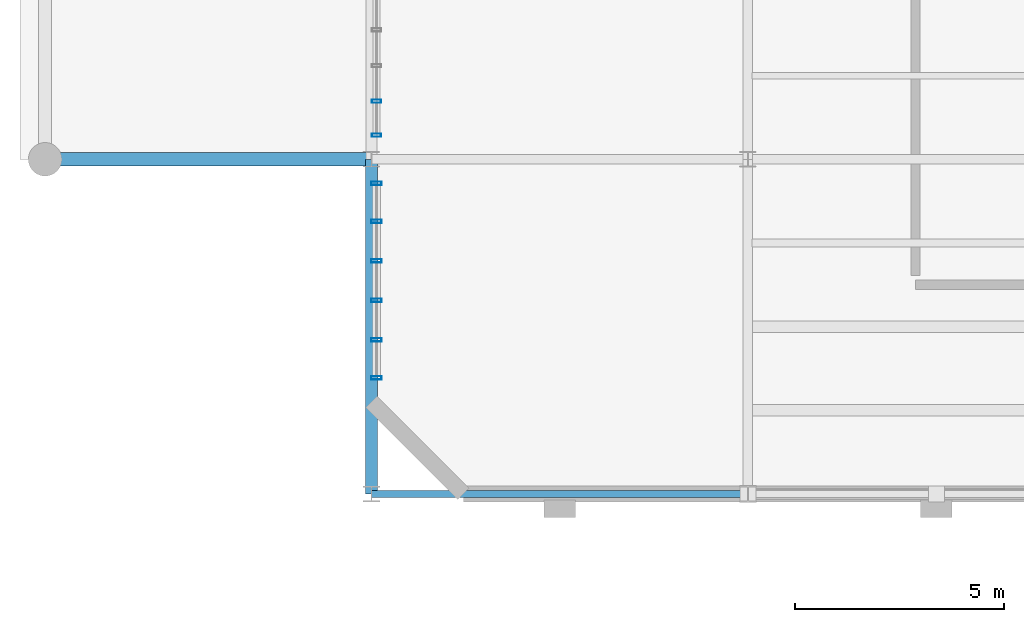
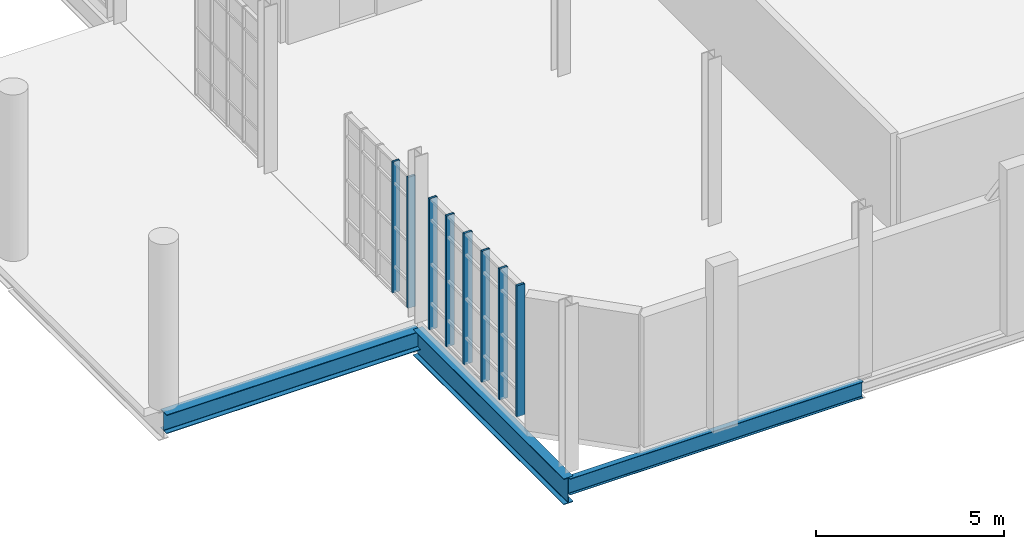
# One storey, part 14 of 189: 8 members, 3 beams, 2 elements without a shape of their own.
"""IFC4 building model written with IfcOpenShell, lengths in metres."""

from ifc_helpers import new_model, si_unit, direction, frame, origin, origin_2d, place, context, subcontext, project, spatial, hollow_rectangle, i_section, extrude, material, layer, layer_set, material_profile, profile_set, type_object, element, aggregate, save


model = new_model("IFC4")

# Units and contexts
model_context = context("Model", 3, precision=1e-05, world=origin(), true_north=direction((0.0, 1.0)))
body_context = subcontext(model_context, "Body", "Model", "MODEL_VIEW")
ifc_project = project(units=[si_unit("LENGTHUNIT", "METRE"), si_unit("AREAUNIT", "SQUARE_METRE"), si_unit("VOLUMEUNIT", "CUBIC_METRE"), si_unit("PLANEANGLEUNIT", "RADIAN"), si_unit("MASSUNIT", "GRAM", prefix="KILO"), si_unit("THERMODYNAMICTEMPERATUREUNIT", "KELVIN"), si_unit("POWERUNIT", "WATT")], contexts=[model_context])

# Site, building, storey
site_placement = place(None, origin())
site = spatial("IfcSite", under=ifc_project, at=site_placement, CompositionType="ELEMENT")
building_placement = place(site_placement, origin())
building = spatial("IfcBuilding", under=site, at=building_placement, Name="Zelmaris Science Centre", CompositionType="ELEMENT")
storey_placement = place(building_placement, origin())
storey = spatial("IfcBuildingStorey", under=building, at=storey_placement, Name="L00", CompositionType="ELEMENT", Elevation=0.0)

# Curtain wall, members
ifc_material_1 = material(Name="Anodised architectural aluminium 6063-T6", Category="aluminium")
ifc_layer_1 = layer(ifc_material_1, 0.199951171875, Name="Anodised architectural aluminium 6063-T6")
ifc_layer_set_1 = layer_set([ifc_layer_1], Name="Anodised architectural aluminium 6063-T6")
curtain_wall_type_1 = type_object("IfcCurtainWallType", Name="Curtain Wall CW-02", PredefinedType="USERDEFINED", material=ifc_layer_set_1)
curtain_wall_1_placement = place(storey_placement, origin())
curtain_wall_1 = element("IfcCurtainWall", 1, at=curtain_wall_1_placement, inside=storey, type_object=curtain_wall_type_1, Name="L00 Unitised curtain wall 2", ObjectType="GLAZED CURTAIN WALL", PredefinedType="USERDEFINED")
ifc_material_profile_1 = material_profile(ifc_material_1, hollow_rectangle(XDim=0.074951171875, YDim=0.219970703125, WallThickness=0.0048828125, at=origin_2d()), Name="ALU-MUL-75X220")
ifc_profile_set_1 = profile_set([ifc_material_profile_1], Name="Anodised architectural aluminium 6063-T6")
member_type_1 = type_object("IfcMemberType", Name="ALU-MUL-75X220", PredefinedType="MULLION", material=ifc_profile_set_1)
member_1_placement = place(storey_placement, frame((9.1201171875, 16.573486328125, -0.014892578125), z_axis=(0.0, 0.0, 1.0), x_axis=(0.0, 1.0, 0.0)))
member_1 = element("IfcMember", 2, at=member_1_placement, type_object=member_type_1, Name="CW-02 mullion 1", PredefinedType="MULLION", context=body_context, shape_type="SweptSolid", body=[
    extrude(hollow_rectangle(XDim=0.074951171875, YDim=0.219970703125, WallThickness=0.0048828125, at=origin_2d()), origin(), (0.0, 0.0, 1.0), 4.248779296875),
])
member_2_placement = place(storey_placement, frame((9.1201171875, 17.389892578125, -0.014892578125), z_axis=(0.0, 0.0, 1.0), x_axis=(0.0, 1.0, 0.0)))
member_2 = element("IfcMember", 3, at=member_2_placement, type_object=member_type_1, Name="CW-02 mullion 2", PredefinedType="MULLION", context=body_context, shape_type="SweptSolid", body=[
    extrude(hollow_rectangle(XDim=0.074951171875, YDim=0.219970703125, WallThickness=0.0048828125, at=origin_2d()), origin(), (0.0, 0.0, 1.0), 4.248779296875),
])
aggregate(curtain_wall_1, [member_1, member_2])

ifc_layer_2 = layer(ifc_material_1, 0.18994140625, Name="Anodised architectural aluminium 6063-T6")
ifc_layer_set_2 = layer_set([ifc_layer_2], Name="Anodised architectural aluminium 6063-T6")
curtain_wall_type_2 = type_object("IfcCurtainWallType", Name="Curtain Wall CW-01", PredefinedType="USERDEFINED", material=ifc_layer_set_2)
curtain_wall_2_placement = place(storey_placement, origin())
curtain_wall_2 = element("IfcCurtainWall", 4, at=curtain_wall_2_placement, inside=storey, type_object=curtain_wall_type_2, Name="L00 Unitised curtain wall 1", ObjectType="GLAZED CURTAIN WALL", PredefinedType="USERDEFINED")
ifc_material_profile_2 = material_profile(ifc_material_1, hollow_rectangle(XDim=0.080078125, YDim=0.25, WallThickness=0.0048828125, at=origin_2d()), Name="ALU-MUL-80X250")
ifc_profile_set_2 = profile_set([ifc_material_profile_2], Name="Anodised architectural aluminium 6063-T6")
member_type_2 = type_object("IfcMemberType", Name="ALU-MUL-80X250", PredefinedType="MULLION", material=ifc_profile_set_2)
member_3_placement = place(storey_placement, frame((9.1201171875, 10.77587890625, -0.014892578125), z_axis=(0.0, 0.0, 1.0), x_axis=(0.0, 1.0, 0.0)))
member_3 = element("IfcMember", 5, at=member_3_placement, type_object=member_type_2, Name="CW-01 mullion 1", PredefinedType="MULLION", context=body_context, shape_type="SweptSolid", body=[
    extrude(hollow_rectangle(XDim=0.080078125, YDim=0.25, WallThickness=0.0048828125, at=origin_2d()), origin(), (0.0, 0.0, 1.0), 4.248779296875),
])
member_4_placement = place(storey_placement, frame((9.1201171875, 11.68408203125, -0.014892578125), z_axis=(0.0, 0.0, 1.0), x_axis=(0.0, 1.0, 0.0)))
member_4 = element("IfcMember", 6, at=member_4_placement, type_object=member_type_2, Name="CW-01 mullion 2", PredefinedType="MULLION", context=body_context, shape_type="SweptSolid", body=[
    extrude(hollow_rectangle(XDim=0.080078125, YDim=0.25, WallThickness=0.0048828125, at=origin_2d()), origin(), (0.0, 0.0, 1.0), 4.248779296875),
])
member_5_placement = place(storey_placement, frame((9.1201171875, 12.6279296875, -0.014892578125), z_axis=(0.0, 0.0, 1.0), x_axis=(0.0, 1.0, 0.0)))
member_5 = element("IfcMember", 7, at=member_5_placement, type_object=member_type_2, Name="CW-01 mullion 3", PredefinedType="MULLION", context=body_context, shape_type="SweptSolid", body=[
    extrude(hollow_rectangle(XDim=0.080078125, YDim=0.25, WallThickness=0.0048828125, at=origin_2d()), origin(), (0.0, 0.0, 1.0), 4.248779296875),
])
member_6_placement = place(storey_placement, frame((9.1201171875, 13.572021484375, -0.014892578125), z_axis=(0.0, 0.0, 1.0), x_axis=(0.0, 1.0, 0.0)))
member_6 = element("IfcMember", 8, at=member_6_placement, type_object=member_type_2, Name="CW-01 mullion 4", PredefinedType="MULLION", context=body_context, shape_type="SweptSolid", body=[
    extrude(hollow_rectangle(XDim=0.080078125, YDim=0.25, WallThickness=0.0048828125, at=origin_2d()), origin(), (0.0, 0.0, 1.0), 4.248779296875),
])
member_7_placement = place(storey_placement, frame((9.1201171875, 14.51611328125, -0.014892578125), z_axis=(0.0, 0.0, 1.0), x_axis=(0.0, 1.0, 0.0)))
member_7 = element("IfcMember", 9, at=member_7_placement, type_object=member_type_2, Name="CW-01 mullion 5", PredefinedType="MULLION", context=body_context, shape_type="SweptSolid", body=[
    extrude(hollow_rectangle(XDim=0.080078125, YDim=0.25, WallThickness=0.0048828125, at=origin_2d()), origin(), (0.0, 0.0, 1.0), 4.248779296875),
])
member_8_placement = place(storey_placement, frame((9.1201171875, 15.424072265625, -0.014892578125), z_axis=(0.0, 0.0, 1.0), x_axis=(0.0, 1.0, 0.0)))
member_8 = element("IfcMember", 10, at=member_8_placement, type_object=member_type_2, Name="CW-01 mullion 6", PredefinedType="MULLION", context=body_context, shape_type="SweptSolid", body=[
    extrude(hollow_rectangle(XDim=0.080078125, YDim=0.25, WallThickness=0.0048828125, at=origin_2d()), origin(), (0.0, 0.0, 1.0), 4.248779296875),
])
aggregate(curtain_wall_2, [member_3, member_4, member_5, member_6, member_7, member_8])

# Beams
ifc_material_2 = material(Name="Steel ASTM A992 Grade 50", Category="steel")
ifc_material_profile_3 = material_profile(ifc_material_2, i_section(OverallWidth=0.2919921875, OverallDepth=0.841064453125, WebThickness=0.0146484375, FlangeThickness=0.021728515625, FilletRadius=0.02001953125, at=origin_2d()), Name="W33X130")
ifc_profile_set_3 = profile_set([ifc_material_profile_3], Name="Steel ASTM A992 Grade 50")
beam_type_1 = type_object("IfcBeamType", Name="Beam G-07 W33X130", PredefinedType="BEAM", material=ifc_profile_set_3)
beam_1_placement = place(storey_placement, frame((9.0, 8.0, -0.73046875), z_axis=(0.0, 1.0, 0.0), x_axis=(-1.0, 0.0, 0.0)))
element("IfcBeam", 11, at=beam_1_placement, inside=storey, type_object=beam_type_1, Name="L00 North-south girder 3", PredefinedType="BEAM", context=body_context, shape_type="SweptSolid", body=[
    extrude(i_section(OverallWidth=0.2919921875, OverallDepth=0.841064453125, WebThickness=0.0146484375, FlangeThickness=0.021728515625, FilletRadius=0.02001953125, at=origin_2d()), origin(), (0.0, 0.0, 1.0), 8.0),
])
ifc_material_profile_4 = material_profile(ifc_material_2, i_section(OverallWidth=0.324951171875, OverallDepth=0.612060546875, WebThickness=0.0126953125, FlangeThickness=0.01904296875, FilletRadius=0.014892578125, at=origin_2d()), Name="W24X104")
ifc_profile_set_4 = profile_set([ifc_material_profile_4], Name="Steel ASTM A992 Grade 50")
beam_type_2 = type_object("IfcBeamType", Name="Beam G-15 W24X104", PredefinedType="BEAM", material=ifc_profile_set_4)
beam_2_placement = place(storey_placement, frame((1.199951171875, 16.0, -0.615966796875), z_axis=(1.0, 0.0, 0.0), x_axis=(0.0, 1.0, 0.0)))
element("IfcBeam", 12, at=beam_2_placement, inside=storey, type_object=beam_type_2, Name="L00 East-west girder 101", PredefinedType="BEAM", context=body_context, shape_type="SweptSolid", body=[
    extrude(i_section(OverallWidth=0.324951171875, OverallDepth=0.612060546875, WebThickness=0.0126953125, FlangeThickness=0.01904296875, FilletRadius=0.014892578125, at=origin_2d()), origin(), (0.0, 0.0, 1.0), 7.800048828125),
])
ifc_material_profile_5 = material_profile(ifc_material_2, i_section(OverallWidth=0.1650390625, OverallDepth=0.52587890625, WebThickness=0.0087890625, FlangeThickness=0.011474609375, FilletRadius=0.013916015625, at=origin_2d()), Name="W21X44")
ifc_profile_set_5 = profile_set([ifc_material_profile_5], Name="Steel ASTM A992 Grade 50")
beam_type_3 = type_object("IfcBeamType", Name="Beam G-40 W21X44", PredefinedType="BEAM", material=ifc_profile_set_5)
beam_3_placement = place(storey_placement, frame((9.0, 8.0, -0.572998046875), z_axis=(1.0, 0.0, 0.0), x_axis=(0.0, 1.0, 0.0)))
element("IfcBeam", 13, at=beam_3_placement, inside=storey, type_object=beam_type_3, Name="L00 East-west girder 91", PredefinedType="BEAM", context=body_context, shape_type="SweptSolid", body=[
    extrude(i_section(OverallWidth=0.1650390625, OverallDepth=0.52587890625, WebThickness=0.0087890625, FlangeThickness=0.011474609375, FilletRadius=0.013916015625, at=origin_2d()), origin(), (0.0, 0.0, 1.0), 9.0),
])

save(model, "model.ifc")
